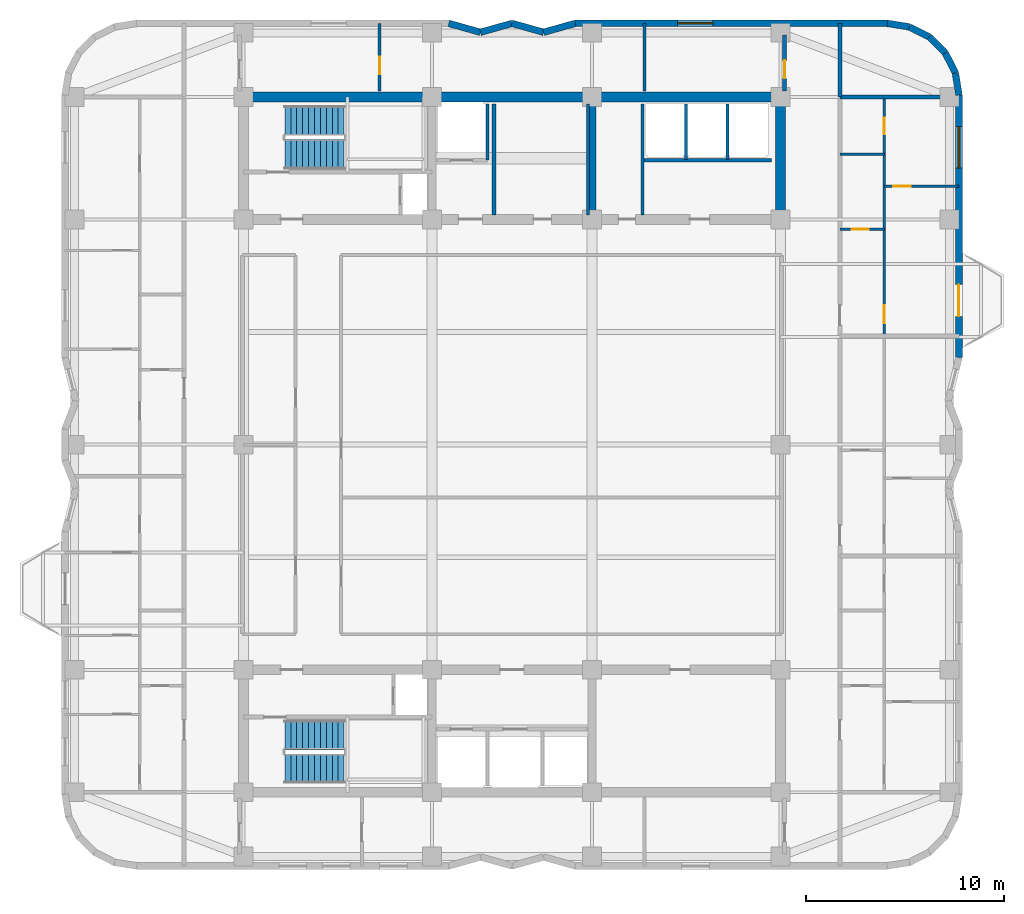
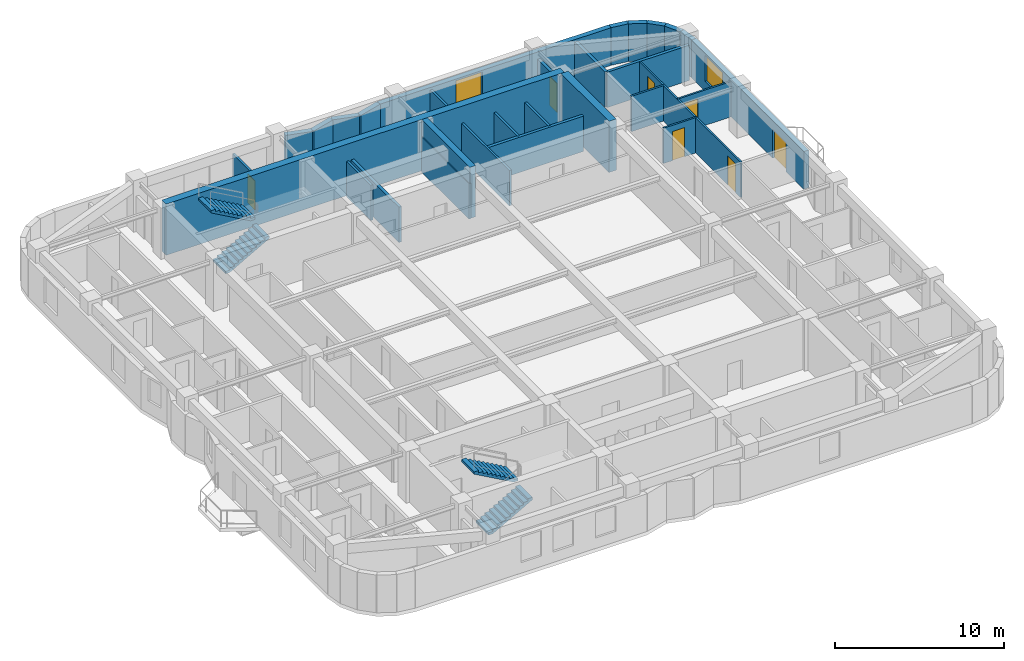
# One storey, part 6 of 8: 30 walls, 7 doors, 4 stair flights, 2 windows, 9 openings, 2 elements without a shape of their own.
"""IFC4 building model written with IfcOpenShell, lengths in metres."""

from ifc_helpers import new_model, si_unit, direction, frame, frame_2d, origin, place, context, subcontext, project, spatial, polyline, rectangle, outline, extrude, material, layer, layer_set, type_object, element, fill, aggregate, save


model = new_model("IFC4")

# Units and contexts
model_context = context("Model", 3, precision=1e-05, world=origin(), true_north=direction((0.0, 1.0)))
body_context = subcontext(model_context, "Body", "Model", "MODEL_VIEW")
ifc_project = project(units=[si_unit("LENGTHUNIT", "METRE"), si_unit("AREAUNIT", "SQUARE_METRE"), si_unit("VOLUMEUNIT", "CUBIC_METRE"), si_unit("PLANEANGLEUNIT", "RADIAN"), si_unit("MASSUNIT", "GRAM", prefix="KILO")], contexts=[model_context])

# Site, building, storey
site_placement = place(None, origin())
site = spatial("IfcSite", under=ifc_project, at=site_placement, CompositionType="ELEMENT")
building_placement = place(site_placement, origin())
building = spatial("IfcBuilding", under=site, at=building_placement, Name="Svetorya Sky Lyceum", CompositionType="ELEMENT")
storey_placement = place(building_placement, frame((0.0, 0.0, 151.5)))
storey = spatial("IfcBuildingStorey", under=building, at=storey_placement, Name="L37", CompositionType="ELEMENT", Elevation=151.5)

# Walls
ifc_material_1 = material(Name="Concrete C40/50", Category="concrete")
ifc_layer_1 = layer(ifc_material_1, 0.39990234375)
ifc_layer_set_1 = layer_set([ifc_layer_1], Name="Concrete C40/50")
wall_type_1 = type_object("IfcWallType", Name="WL-CORE-400", PredefinedType="SHEAR", material=ifc_layer_set_1)
wall_1_placement = place(storey_placement, frame((43.25, 39.85009765625, 0.0), z_axis=(0.0, 0.0, 1.0), x_axis=(0.0, 1.0, 0.0)))
element("IfcWall", 1, at=wall_1_placement, inside=storey, type_object=wall_type_1, Name="L37 NC Internal Shear Web WEB2", PredefinedType="SHEAR", context=body_context, shape_type="SweptSolid", body=[
    extrude(rectangle(XDim=5.699951171875, YDim=0.39990234375, at=frame_2d((2.85009765625, 0.0))), origin(), (0.0, 0.0, 1.0), 3.699951171875),
])
ifc_material_2 = material(Name="Concrete C50/60", Category="concrete")
ifc_layer_2 = layer(ifc_material_2, 0.5)
ifc_layer_set_2 = layer_set([ifc_layer_2], Name="Concrete C50/60")
wall_type_2 = type_object("IfcWallType", Name="WL-CORE-500", PredefinedType="SHEAR", material=ifc_layer_set_2)
wall_2_placement = place(storey_placement, frame((25.60009765625, 45.800048828125, 0.0), z_axis=(0.0, 0.0, 1.0), x_axis=(1.0, 0.0, 0.0)))
element("IfcWall", 2, at=wall_2_placement, inside=storey, type_object=wall_type_2, Name="L37 NC Outer Core Shear Wall", PredefinedType="SHEAR", context=body_context, shape_type="SweptSolid", body=[
    extrude(rectangle(XDim=27.199951171875, YDim=0.5, at=frame_2d((13.60009765625, 0.0))), origin(), (0.0, 0.0, 1.0), 3.699951171875),
])
wall_3_placement = place(storey_placement, frame((52.800048828125, 39.85009765625, 0.0), z_axis=(0.0, 0.0, 1.0), x_axis=(0.0, 1.0, 0.0)))
element("IfcWall", 3, at=wall_3_placement, inside=storey, type_object=wall_type_2, Name="L37 NC East Core Shear Wall", PredefinedType="SHEAR", context=body_context, shape_type="SweptSolid", body=[
    extrude(rectangle(XDim=5.699951171875, YDim=0.5, at=frame_2d((2.85009765625, 0.0))), origin(), (0.0, 0.0, 1.0), 3.699951171875),
])

# Wall, openings, door, window
ifc_material_3 = material(Name="Putilovo limestone rainscreen on autoclaved cellular masonry", Category="masonry")
ifc_layer_3 = layer(ifc_material_3, 0.340087890625)
ifc_layer_set_3 = layer_set([ifc_layer_3], Name="Putilovo limestone rainscreen on autoclaved cellular masonry")
wall_type_3 = type_object("IfcWallType", Name="WL-EXT-340", PredefinedType="SOLIDWALL", material=ifc_layer_set_3)
wall_4_placement = place(storey_placement, frame((61.830078125, 32.60009765625, 0.0), z_axis=(0.0, 0.0, 1.0), x_axis=(0.0, 1.0, 0.0)))
wall_4 = element("IfcWall", 4, at=wall_4_placement, inside=storey, type_object=wall_type_3, Name="L37 Limestone Exterior Wall 23M", PredefinedType="SOLIDWALL", context=body_context, shape_type="SweptSolid", body=[
    extrude(rectangle(XDim=13.2998046875, YDim=0.340087890625, at=frame_2d((6.64990234375, 0.0))), origin(), (0.0, 0.0, 1.0), 2.719970703125),
])
opening_1_placement = place(wall_4_placement, frame((2.10009765625, 0.0, 0.0)))
opening_1 = element("IfcOpeningElement", 5, at=opening_1_placement, cuts=wall_4, Name="Opening D-BL1", PredefinedType="OPENING", context=body_context, shape_type="SweptSolid", body=[
    extrude(rectangle(XDim=1.60009765625, YDim=2.10009765625, at=frame_2d((0.800048828125, 1.050048828125))), frame((0.0, 0.179931640625, 0.0), z_axis=(0.0, -1.0, 0.0), x_axis=(1.0, 0.0, 0.0)), (0.0, 0.0, 1.0), 0.360107421875),
])
opening_2_placement = place(wall_4_placement, frame((9.60009765625, 0.0, 0.699951171875)))
opening_2 = element("IfcOpeningElement", 6, at=opening_2_placement, cuts=wall_4, Name="Opening W-R0", PredefinedType="OPENING", context=body_context, shape_type="SweptSolid", body=[
    extrude(rectangle(XDim=2.10009765625, YDim=1.89990234375, at=frame_2d((1.050048828125, 0.949951171875))), frame((0.0, 0.179931640625, 0.0), z_axis=(0.0, -1.0, 0.0), x_axis=(1.0, 0.0, 0.0)), (0.0, 0.0, 1.0), 0.360107421875),
])
ifc_material_4 = material(Name="Insulated glazed aluminium balcony door", Category="aluminium")
door_type_1 = type_object("IfcDoorType", Name="DR-BAL-1600", OperationType="DOUBLE_DOOR_SINGLE_SWING", PredefinedType="DOOR", material=ifc_material_4)
door_1_placement = place(opening_1_placement, origin())
door_1 = element("IfcDoor", 7, at=door_1_placement, inside=storey, type_object=door_type_1, Name="L37 Balcony BAL-E1 Door", OperationType="DOUBLE_DOOR_SINGLE_SWING", OverallHeight=2.10009765625, OverallWidth=1.60009765625, PredefinedType="DOOR", context=body_context, shape_type="SweptSolid", body=[
    extrude(rectangle(XDim=1.60009765625, YDim=2.10009765625, at=frame_2d((0.800048828125, 1.050048828125))), frame((0.0, 0.02490234375, 0.0), z_axis=(0.0, -1.0, 0.0), x_axis=(1.0, 0.0, 0.0)), (0.0, 0.0, 1.0), 0.050048828125),
])
fill(opening_1, door_1)
ifc_material_5 = material(Name="Thermally broken aluminium frame with triple low-E glazing", Category="aluminium")
window_type_1 = type_object("IfcWindowType", Name="WN-RES-210", PartitioningType="TRIPLE_PANEL_VERTICAL", PredefinedType="WINDOW", material=ifc_material_5)
window_1_placement = place(opening_2_placement, origin())
window_1 = element("IfcWindow", 8, at=window_1_placement, inside=storey, type_object=window_type_1, Name="L37 Facade Window W-R0.23M.1", OverallHeight=1.89990234375, OverallWidth=2.10009765625, PartitioningType="SINGLE_PANEL", PredefinedType="WINDOW", context=body_context, shape_type="SweptSolid", body=[
    extrude(rectangle(XDim=2.10009765625, YDim=1.89990234375, at=frame_2d((1.050048828125, 0.949951171875))), frame((0.0, 0.030029296875, 0.0), z_axis=(0.0, -1.0, 0.0), x_axis=(1.0, 0.0, 0.0)), (0.0, 0.0, 1.0), 0.06005859375),
])
fill(opening_2, window_1)

# Walls
for number, where, z_axis, x_axis, name in (
    (9, (61.830078125, 45.89990234375, 0.0), (0.0, 0.0, 1.0), (-0.156481329164, 0.987680916907, 0.0), "L37 Limestone Exterior Wall 24M"),
    (10, (61.65234375, 47.021728515625, 0.0), (0.0, 0.0, 1.0), (-0.453993402883, 0.891005044957, 0.0), "L37 Limestone Exterior Wall 25M"),
):
    element("IfcWall", number, at=place(storey_placement, frame(where, z_axis=z_axis, x_axis=x_axis)), inside=storey, type_object=wall_type_3, Name=name, PredefinedType="SOLIDWALL", context=body_context, shape_type="SweptSolid", body=[
        extrude(rectangle(XDim=1.1357421875, YDim=0.340087890625, at=frame_2d((0.56787109375, 0.0))), origin(), (0.0, 0.0, 1.0), 2.719970703125),
    ])
wall_5_placement = place(storey_placement, frame((61.13671875, 48.03369140625, 0.0), z_axis=(0.0, 0.0, 1.0), x_axis=(-0.707106781187, 0.707106781187, 0.0)))
element("IfcWall", 11, at=wall_5_placement, inside=storey, type_object=wall_type_3, Name="L37 Limestone Exterior Wall 26M", PredefinedType="SOLIDWALL", context=body_context, shape_type="SweptSolid", body=[
    extrude(rectangle(XDim=1.135498046875, YDim=0.340087890625, at=frame_2d((0.56787109375, 0.0))), origin(), (0.0, 0.0, 1.0), 2.719970703125),
])
for number, where, z_axis, x_axis, name in (
    (12, (60.333740234375, 48.836669921875, 0.0), (0.0, 0.0, 1.0), (-0.891005044957, 0.453993402883, 0.0), "L37 Limestone Exterior Wall 27M"),
    (13, (59.32177734375, 49.352294921875, 0.0), (0.0, 0.0, 1.0), (-0.987680916907, 0.156481329164, 0.0), "L37 Limestone Exterior Wall 28M"),
):
    element("IfcWall", number, at=place(storey_placement, frame(where, z_axis=z_axis, x_axis=x_axis)), inside=storey, type_object=wall_type_3, Name=name, PredefinedType="SOLIDWALL", context=body_context, shape_type="SweptSolid", body=[
        extrude(rectangle(XDim=1.1357421875, YDim=0.340087890625, at=frame_2d((0.56787109375, 0.0))), origin(), (0.0, 0.0, 1.0), 2.719970703125),
    ])

# Wall, opening, window
wall_6_placement = place(storey_placement, frame((58.199951171875, 49.530029296875, 0.0), z_axis=(0.0, 0.0, 1.0), x_axis=(-1.0, 0.0, 0.0)))
wall_6 = element("IfcWall", 14, at=wall_6_placement, inside=storey, type_object=wall_type_3, Name="L37 Limestone Exterior Wall 29M", PredefinedType="SOLIDWALL", context=body_context, shape_type="SweptSolid", body=[
    extrude(rectangle(XDim=15.800048828125, YDim=0.340087890625, at=frame_2d((7.89990234375, 0.0))), origin(), (0.0, 0.0, 1.0), 2.719970703125),
])
opening_3_placement = place(wall_6_placement, frame((8.8125, 0.0, 0.75)))
opening_3 = element("IfcOpeningElement", 15, at=opening_3_placement, cuts=wall_6, Name="Opening W-R1", PredefinedType="OPENING", context=body_context, shape_type="SweptSolid", body=[
    extrude(rectangle(XDim=1.800048828125, YDim=1.85009765625, at=frame_2d((0.89990234375, 0.925048828125))), frame((0.0, 0.179931640625, 0.0), z_axis=(0.0, -1.0, 0.0), x_axis=(1.0, 0.0, 0.0)), (0.0, 0.0, 1.0), 0.360107421875),
])
window_type_2 = type_object("IfcWindowType", Name="WN-RES-180", PartitioningType="DOUBLE_PANEL_VERTICAL", PredefinedType="WINDOW", material=ifc_material_5)
window_2_placement = place(opening_3_placement, origin())
window_2 = element("IfcWindow", 16, at=window_2_placement, inside=storey, type_object=window_type_2, Name="L37 Facade Window W-R1.29M.1", OverallHeight=1.85009765625, OverallWidth=1.800048828125, PartitioningType="SINGLE_PANEL", PredefinedType="WINDOW", context=body_context, shape_type="SweptSolid", body=[
    extrude(rectangle(XDim=1.800048828125, YDim=1.85009765625, at=frame_2d((0.89990234375, 0.925048828125))), frame((0.0, 0.030029296875, 0.0), z_axis=(0.0, -1.0, 0.0), x_axis=(1.0, 0.0, 0.0)), (0.0, 0.0, 1.0), 0.06005859375),
])
fill(opening_3, window_2)

# Walls
wall_7_placement = place(storey_placement, frame((42.39990234375, 49.530029296875, 0.0), z_axis=(0.0, 0.0, 1.0), x_axis=(-0.962652136636, -0.270741322725, 0.0)))
element("IfcWall", 17, at=wall_7_placement, inside=storey, type_object=wall_type_3, Name="L37 Limestone Exterior Wall 30M", PredefinedType="SOLIDWALL", context=body_context, shape_type="SweptSolid", body=[
    extrude(rectangle(XDim=1.661865234375, YDim=0.340087890625, at=frame_2d((0.8310546875, 0.0))), origin(), (0.0, 0.0, 1.0), 2.719970703125),
])
wall_8_placement = place(storey_placement, frame((40.800048828125, 49.080078125, 0.0), z_axis=(0.0, 0.0, 1.0), x_axis=(-0.962662902433, 0.270703040766, 0.0)))
element("IfcWall", 18, at=wall_8_placement, inside=storey, type_object=wall_type_3, Name="L37 Limestone Exterior Wall 31M", PredefinedType="SOLIDWALL", context=body_context, shape_type="SweptSolid", body=[
    extrude(rectangle(XDim=1.662109375, YDim=0.340087890625, at=frame_2d((0.8310546875, 0.0))), origin(), (0.0, 0.0, 1.0), 2.719970703125),
])
wall_9_placement = place(storey_placement, frame((39.199951171875, 49.530029296875, 0.0), z_axis=(0.0, 0.0, 1.0), x_axis=(-0.962652136636, -0.270741322725, 0.0)))
element("IfcWall", 19, at=wall_9_placement, inside=storey, type_object=wall_type_3, Name="L37 Limestone Exterior Wall 32M", PredefinedType="SOLIDWALL", context=body_context, shape_type="SweptSolid", body=[
    extrude(rectangle(XDim=1.661865234375, YDim=0.340087890625, at=frame_2d((0.8310546875, 0.0))), origin(), (0.0, 0.0, 1.0), 2.719970703125),
])
wall_10_placement = place(storey_placement, frame((37.60009765625, 49.080078125, 0.0), z_axis=(0.0, 0.0, 1.0), x_axis=(-0.962662902433, 0.270703040766, 0.0)))
element("IfcWall", 20, at=wall_10_placement, inside=storey, type_object=wall_type_3, Name="L37 Limestone Exterior Wall 33M", PredefinedType="SOLIDWALL", context=body_context, shape_type="SweptSolid", body=[
    extrude(rectangle(XDim=1.662109375, YDim=0.340087890625, at=frame_2d((0.8310546875, 0.0))), origin(), (0.0, 0.0, 1.0), 2.719970703125),
])

# Wall, opening, door
ifc_material_6 = material(Name="Twin-stud galvanized framing with double fireboard", Category="gypsum")
ifc_layer_4 = layer(ifc_material_6, 0.1201171875)
ifc_layer_set_4 = layer_set([ifc_layer_4], Name="Twin-stud galvanized framing with double fireboard")
wall_type_4 = type_object("IfcWallType", Name="WL-PART-120", PredefinedType="PARTITIONING", material=ifc_layer_set_4)
wall_11_placement = place(storey_placement, frame((55.800048828125, 39.10009765625, 0.0), z_axis=(0.0, 0.0, 1.0), x_axis=(1.0, 0.0, 0.0)))
wall_11 = element("IfcWall", 21, at=wall_11_placement, inside=storey, type_object=wall_type_4, Name="L37 Interior Partition E3-WH1", PredefinedType="PARTITIONING", context=body_context, shape_type="SweptSolid", body=[
    extrude(rectangle(XDim=2.25, YDim=0.1201171875, at=frame_2d((1.125, 0.0))), origin(), (0.0, 0.0, 1.0), 2.550048828125),
])
opening_4_placement = place(wall_11_placement, frame((0.60009765625, 0.0, 0.0)))
opening_4 = element("IfcOpeningElement", 22, at=opening_4_placement, cuts=wall_11, Name="Opening D-BT1", PredefinedType="OPENING", context=body_context, shape_type="SweptSolid", body=[
    extrude(rectangle(XDim=0.85009765625, YDim=2.10009765625, at=frame_2d((0.425048828125, 1.050048828125))), frame((0.0, 0.070068359375, 0.0), z_axis=(0.0, -1.0, 0.0), x_axis=(1.0, 0.0, 0.0)), (0.0, 0.0, 1.0), 0.14013671875),
])
ifc_material_7 = material(Name="Moisture-resistant laminate bathroom door")
door_type_2 = type_object("IfcDoorType", Name="DR-WET-850", OperationType="SINGLE_SWING_LEFT", PredefinedType="DOOR", material=ifc_material_7)
door_2_placement = place(opening_4_placement, origin())
door_2 = element("IfcDoor", 23, at=door_2_placement, inside=storey, type_object=door_type_2, Name="Apartment E3 Bathroom Door", OperationType="SINGLE_SWING_RIGHT", OverallHeight=2.10009765625, OverallWidth=0.85009765625, PredefinedType="DOOR", context=body_context, shape_type="SweptSolid", body=[
    extrude(rectangle(XDim=0.85009765625, YDim=2.10009765625, at=frame_2d((0.425048828125, 1.050048828125))), frame((0.0, 0.02490234375, 0.0), z_axis=(0.0, -1.0, 0.0), x_axis=(1.0, 0.0, 0.0)), (0.0, 0.0, 1.0), 0.050048828125),
])
fill(opening_4, door_2)

wall_12_placement = place(storey_placement, frame((58.050048828125, 41.280029296875, 0.0), z_axis=(0.0, 0.0, 1.0), x_axis=(1.0, 0.0, 0.0)))
wall_12 = element("IfcWall", 24, at=wall_12_placement, inside=storey, type_object=wall_type_4, Name="L37 Interior Partition E3-WL1", PredefinedType="PARTITIONING", context=body_context, shape_type="SweptSolid", body=[
    extrude(rectangle(XDim=3.780029296875, YDim=0.1201171875, at=frame_2d((1.89013671875, 0.0))), origin(), (0.0, 0.0, 1.0), 2.550048828125),
])
opening_5_placement = place(wall_12_placement, frame((0.449951171875, 0.0, 0.0)))
opening_5 = element("IfcOpeningElement", 25, at=opening_5_placement, cuts=wall_12, Name="Opening D-RM1", PredefinedType="OPENING", context=body_context, shape_type="SweptSolid", body=[
    extrude(rectangle(XDim=0.89990234375, YDim=2.10009765625, at=frame_2d((0.449951171875, 1.050048828125))), frame((0.0, 0.070068359375, 0.0), z_axis=(0.0, -1.0, 0.0), x_axis=(1.0, 0.0, 0.0)), (0.0, 0.0, 1.0), 0.14013671875),
])
ifc_material_8 = material(Name="Lacquered birch veneer internal door")
door_type_3 = type_object("IfcDoorType", Name="DR-INT-900", OperationType="SINGLE_SWING_LEFT", PredefinedType="DOOR", material=ifc_material_8)
door_3_placement = place(opening_5_placement, origin())
door_3 = element("IfcDoor", 26, at=door_3_placement, inside=storey, type_object=door_type_3, Name="Apartment E3 Bedroom 1 Door", OperationType="SINGLE_SWING_RIGHT", OverallHeight=2.10009765625, OverallWidth=0.89990234375, PredefinedType="DOOR", context=body_context, shape_type="SweptSolid", body=[
    extrude(rectangle(XDim=0.89990234375, YDim=2.10009765625, at=frame_2d((0.449951171875, 1.050048828125))), frame((0.0, 0.02490234375, 0.0), z_axis=(0.0, -1.0, 0.0), x_axis=(1.0, 0.0, 0.0)), (0.0, 0.0, 1.0), 0.050048828125),
])
fill(opening_5, door_3)

# Wall, openings, doors
wall_13_placement = place(storey_placement, frame((58.050048828125, 33.739990234375, 0.0), z_axis=(0.0, 0.0, 1.0), x_axis=(0.0, 1.0, 0.0)))
wall_13 = element("IfcWall", 27, at=wall_13_placement, inside=storey, type_object=wall_type_4, Name="L37 Interior Partition E3-WV", PredefinedType="PARTITIONING", context=body_context, shape_type="SweptSolid", body=[
    extrude(rectangle(XDim=12.02001953125, YDim=0.1201171875, at=frame_2d((6.010009765625, 0.0))), origin(), (0.0, 0.0, 1.0), 2.550048828125),
])
opening_6_placement = place(wall_13_placement, frame((0.610107421875, 0.0, 0.0)))
opening_6 = element("IfcOpeningElement", 28, at=opening_6_placement, cuts=wall_13, Name="Opening D-RM1", PredefinedType="OPENING", context=body_context, shape_type="SweptSolid", body=[
    extrude(rectangle(XDim=0.89990234375, YDim=2.10009765625, at=frame_2d((0.449951171875, 1.050048828125))), frame((0.0, 0.070068359375, 0.0), z_axis=(0.0, -1.0, 0.0), x_axis=(1.0, 0.0, 0.0)), (0.0, 0.0, 1.0), 0.14013671875),
])
opening_7_placement = place(wall_13_placement, frame((10.18505859375, 0.0, 0.0)))
opening_7 = element("IfcOpeningElement", 29, at=opening_7_placement, cuts=wall_13, Name="Opening D-BT2", PredefinedType="OPENING", context=body_context, shape_type="SweptSolid", body=[
    extrude(rectangle(XDim=0.820068359375, YDim=2.080078125, at=frame_2d((0.41015625, 1.0400390625))), frame((0.0, 0.070068359375, 0.0), z_axis=(0.0, -1.0, 0.0), x_axis=(1.0, 0.0, 0.0)), (0.0, 0.0, 1.0), 0.14013671875),
])
door_4_placement = place(opening_6_placement, origin())
door_4 = element("IfcDoor", 30, at=door_4_placement, inside=storey, type_object=door_type_3, Name="Apartment E3 Living Door", OperationType="SINGLE_SWING_LEFT", OverallHeight=2.10009765625, OverallWidth=0.89990234375, PredefinedType="DOOR", context=body_context, shape_type="SweptSolid", body=[
    extrude(rectangle(XDim=0.89990234375, YDim=2.10009765625, at=frame_2d((0.449951171875, 1.050048828125))), frame((0.0, 0.02490234375, 0.0), z_axis=(0.0, -1.0, 0.0), x_axis=(1.0, 0.0, 0.0)), (0.0, 0.0, 1.0), 0.050048828125),
])
fill(opening_6, door_4)
ifc_material_9 = material(Name="Compact moisture-resistant laminate closet door")
door_type_4 = type_object("IfcDoorType", Name="DR-WET-820", OperationType="SINGLE_SWING_LEFT", PredefinedType="DOOR", material=ifc_material_9)
door_5_placement = place(opening_7_placement, origin())
door_5 = element("IfcDoor", 31, at=door_5_placement, inside=storey, type_object=door_type_4, Name="Apartment E3 Study Door", OperationType="SINGLE_SWING_RIGHT", OverallHeight=2.080078125, OverallWidth=0.820068359375, PredefinedType="DOOR", context=body_context, shape_type="SweptSolid", body=[
    extrude(rectangle(XDim=0.820068359375, YDim=2.080078125, at=frame_2d((0.41015625, 1.0400390625))), frame((0.0, 0.02490234375, 0.0), z_axis=(0.0, -1.0, 0.0), x_axis=(1.0, 0.0, 0.0)), (0.0, 0.0, 1.0), 0.050048828125),
])
fill(opening_7, door_5)

# Walls
ifc_material_10 = material(Name="Twin-stud galvanized framing with acoustic board", Category="gypsum")
ifc_layer_5 = layer(ifc_material_10, 0.135009765625)
ifc_layer_set_5 = layer_set([ifc_layer_5], Name="Twin-stud galvanized framing with acoustic board")
wall_type_5 = type_object("IfcWallType", Name="WL-PART-135", PredefinedType="PARTITIONING", material=ifc_layer_set_5)
wall_14_placement = place(storey_placement, frame((55.800048828125, 42.89990234375, 0.0), z_axis=(0.0, 0.0, 1.0), x_axis=(1.0, 0.0, 0.0)))
element("IfcWall", 32, at=wall_14_placement, inside=storey, type_object=wall_type_5, Name="L37 Interior Partition E3-WH2", PredefinedType="PARTITIONING", context=body_context, shape_type="SweptSolid", body=[
    extrude(rectangle(XDim=2.25, YDim=0.135009765625, at=frame_2d((1.125, 0.0))), origin(), (0.0, 0.0, 1.0), 2.550048828125),
])
ifc_material_11 = material(Name="Autoclaved cellular masonry blockwork with acoustic render", Category="masonry")
ifc_layer_6 = layer(ifc_material_11, 0.14990234375)
ifc_layer_set_6 = layer_set([ifc_layer_6], Name="Autoclaved cellular masonry blockwork with acoustic render")
wall_type_6 = type_object("IfcWallType", Name="WL-PART-150", PredefinedType="PARTITIONING", material=ifc_layer_set_6)
wall_15_placement = place(storey_placement, frame((37.949951171875, 42.60009765625, 0.0), z_axis=(0.0, 0.0, 1.0), x_axis=(0.0, 1.0, 0.0)))
element("IfcWall", 33, at=wall_15_placement, inside=storey, type_object=wall_type_6, Name="L37 Interior Partition NC-FL1SIDE", PredefinedType="PARTITIONING", context=body_context, shape_type="SweptSolid", body=[
    extrude(rectangle(XDim=2.849853515625, YDim=0.14990234375, at=frame_2d((1.4248046875, 0.0))), origin(), (0.0, 0.0, 1.0), 2.550048828125),
])
for number, where, z_axis, x_axis, name in (
    (34, (43.050048828125, 39.820068359375, 0.0), (0.0, 0.0, 1.0), (0.0, 1.0, 0.0), "L37 Interior Partition NC-FPM-END"),
    (35, (45.800048828125, 39.820068359375, 0.0), (0.0, 0.0, 1.0), (0.0, 1.0, 0.0), "L37 Interior Partition NC-PM3-FULL"),
):
    element("IfcWall", number, at=place(storey_placement, frame(where, z_axis=z_axis, x_axis=x_axis)), inside=storey, type_object=wall_type_6, Name=name, PredefinedType="PARTITIONING", context=body_context, shape_type="SweptSolid", body=[
        extrude(rectangle(XDim=5.6298828125, YDim=0.14990234375, at=frame_2d((2.81494140625, 0.0))), origin(), (0.0, 0.0, 1.0), 2.550048828125),
    ])
for number, where, z_axis, x_axis, name in (
    (36, (48.0, 42.64990234375, 0.0), (0.0, 0.0, 1.0), (0.0, 1.0, 0.0), "L37 Interior Partition NC-PH-D1"),
    (37, (50.10009765625, 42.64990234375, 0.0), (0.0, 0.0, 1.0), (0.0, 1.0, 0.0), "L37 Interior Partition NC-PH-D2"),
):
    element("IfcWall", number, at=place(storey_placement, frame(where, z_axis=z_axis, x_axis=x_axis)), inside=storey, type_object=wall_type_6, Name=name, PredefinedType="PARTITIONING", context=body_context, shape_type="SweptSolid", body=[
        extrude(rectangle(XDim=2.800048828125, YDim=0.14990234375, at=frame_2d((1.39990234375, 0.0))), origin(), (0.0, 0.0, 1.0), 2.550048828125),
    ])

# Wall, opening, door
wall_16_placement = place(storey_placement, frame((32.5, 46.10009765625, 0.0), z_axis=(0.0, 0.0, 1.0), x_axis=(0.0, 1.0, 0.0)))
wall_16 = element("IfcWall", 38, at=wall_16_placement, inside=storey, type_object=wall_type_6, Name="L37 Interior Partition N-D1", PredefinedType="PARTITIONING", context=body_context, shape_type="SweptSolid", body=[
    extrude(rectangle(XDim=3.429931640625, YDim=0.14990234375, at=frame_2d((1.71484375, 0.0))), origin(), (0.0, 0.0, 1.0), 2.550048828125),
])
opening_8_placement = place(wall_16_placement, frame((0.85009765625, 0.0, 0.0)))
opening_8 = element("IfcOpeningElement", 39, at=opening_8_placement, cuts=wall_16, Name="Opening D-RM1", PredefinedType="OPENING", context=body_context, shape_type="SweptSolid", body=[
    extrude(rectangle(XDim=0.89990234375, YDim=2.10009765625, at=frame_2d((0.449951171875, 1.050048828125))), frame((0.0, 0.0849609375, 0.0), z_axis=(0.0, -1.0, 0.0), x_axis=(1.0, 0.0, 0.0)), (0.0, 0.0, 1.0), 0.169921875),
])
door_6_placement = place(opening_8_placement, origin())
door_6 = element("IfcDoor", 40, at=door_6_placement, inside=storey, type_object=door_type_3, Name="L37 North Store Door", OperationType="SINGLE_SWING_RIGHT", OverallHeight=2.10009765625, OverallWidth=0.89990234375, PredefinedType="DOOR", context=body_context, shape_type="SweptSolid", body=[
    extrude(rectangle(XDim=0.89990234375, YDim=2.10009765625, at=frame_2d((0.449951171875, 1.050048828125))), frame((0.0, 0.02490234375, 0.0), z_axis=(0.0, -1.0, 0.0), x_axis=(1.0, 0.0, 0.0)), (0.0, 0.0, 1.0), 0.050048828125),
])
fill(opening_8, door_6)

# Walls
wall_17_placement = place(storey_placement, frame((45.89990234375, 46.10009765625, 0.0), z_axis=(0.0, 0.0, 1.0), x_axis=(0.0, 1.0, 0.0)))
element("IfcWall", 41, at=wall_17_placement, inside=storey, type_object=wall_type_6, Name="L37 Interior Partition N-D2", PredefinedType="PARTITIONING", context=body_context, shape_type="SweptSolid", body=[
    extrude(rectangle(XDim=3.429931640625, YDim=0.14990234375, at=frame_2d((1.71484375, 0.0))), origin(), (0.0, 0.0, 1.0), 2.550048828125),
])
ifc_material_12 = material(Name="Autoclaved cellular masonry blockwork with gypsum plaster", Category="masonry")
ifc_layer_7 = layer(ifc_material_12, 0.199951171875)
ifc_layer_set_7 = layer_set([ifc_layer_7], Name="Autoclaved cellular masonry blockwork with gypsum plaster")
wall_type_7 = type_object("IfcWallType", Name="WL-PART-200", PredefinedType="PARTITIONING", material=ifc_layer_set_7)
wall_18_placement = place(storey_placement, frame((38.280029296875, 39.820068359375, 0.0), z_axis=(0.0, 0.0, 1.0), x_axis=(0.0, 1.0, 0.0)))
element("IfcWall", 42, at=wall_18_placement, inside=storey, type_object=wall_type_7, Name="L37 Interior Partition NC-FFLDIV", PredefinedType="PARTITIONING", context=body_context, shape_type="SweptSolid", body=[
    extrude(rectangle(XDim=5.6298828125, YDim=0.199951171875, at=frame_2d((2.81494140625, 0.0))), origin(), (0.0, 0.0, 1.0), 2.550048828125),
])
wall_19_placement = place(storey_placement, frame((52.35009765625, 42.60009765625, 0.0), z_axis=(0.0, 0.0, 1.0), x_axis=(-1.0, 0.0, 0.0)))
element("IfcWall", 43, at=wall_19_placement, inside=storey, type_object=wall_type_7, Name="L37 Interior Partition NC-PHEW", PredefinedType="PARTITIONING", context=body_context, shape_type="SweptSolid", body=[
    extrude(rectangle(XDim=6.5, YDim=0.199951171875, at=frame_2d((3.25, 0.0))), origin(), (0.0, 0.0, 1.0), 2.550048828125),
])
wall_20_placement = place(storey_placement, frame((55.800048828125, 45.800048828125, 0.0), z_axis=(0.0, 0.0, 1.0), x_axis=(1.0, 0.0, 0.0)))
element("IfcWall", 44, at=wall_20_placement, inside=storey, type_object=wall_type_7, Name="L37 Interior Partition E-CAP-N", PredefinedType="PARTITIONING", context=body_context, shape_type="SweptSolid", body=[
    extrude(rectangle(XDim=5.60986328125, YDim=0.199951171875, at=frame_2d((2.804931640625, 0.0))), origin(), (0.0, 0.0, 1.0), 2.550048828125),
])
wall_21_placement = place(storey_placement, frame((55.800048828125, 45.800048828125, 0.0), z_axis=(0.0, 0.0, 1.0), x_axis=(0.0, 1.0, 0.0)))
element("IfcWall", 45, at=wall_21_placement, inside=storey, type_object=wall_type_7, Name="L37 Interior Partition EC-NE-END", PredefinedType="PARTITIONING", context=body_context, shape_type="SweptSolid", body=[
    extrude(rectangle(XDim=3.72998046875, YDim=0.199951171875, at=frame_2d((1.864990234375, 0.0))), origin(), (0.0, 0.0, 1.0), 2.550048828125),
])

# Wall, opening, door
wall_22_placement = place(storey_placement, frame((53.0, 46.10009765625, 0.0), z_axis=(0.0, 0.0, 1.0), x_axis=(0.0, 1.0, 0.0)))
wall_22 = element("IfcWall", 46, at=wall_22_placement, inside=storey, type_object=wall_type_7, Name="L37 Interior Partition N-EE", PredefinedType="PARTITIONING", context=body_context, shape_type="SweptSolid", body=[
    extrude(rectangle(XDim=2.829833984375, YDim=0.199951171875, at=frame_2d((1.4150390625, 0.0))), origin(), (0.0, 0.0, 1.0), 2.550048828125),
])
opening_9_placement = place(wall_22_placement, frame((0.64990234375, 0.0, 0.0)))
opening_9 = element("IfcOpeningElement", 47, at=opening_9_placement, cuts=wall_22, Name="Opening D-RM1", PredefinedType="OPENING", context=body_context, shape_type="SweptSolid", body=[
    extrude(rectangle(XDim=0.89990234375, YDim=2.10009765625, at=frame_2d((0.449951171875, 1.050048828125))), frame((0.0, 0.10986328125, 0.0), z_axis=(0.0, -1.0, 0.0), x_axis=(1.0, 0.0, 0.0)), (0.0, 0.0, 1.0), 0.219970703125),
])
door_7_placement = place(opening_9_placement, origin())
door_7 = element("IfcDoor", 48, at=door_7_placement, inside=storey, type_object=door_type_3, Name="L37 North Meeting Door", OperationType="SINGLE_SWING_LEFT", OverallHeight=2.10009765625, OverallWidth=0.89990234375, PredefinedType="DOOR", context=body_context, shape_type="SweptSolid", body=[
    extrude(rectangle(XDim=0.89990234375, YDim=2.10009765625, at=frame_2d((0.449951171875, 1.050048828125))), frame((0.0, 0.02490234375, 0.0), z_axis=(0.0, -1.0, 0.0), x_axis=(1.0, 0.0, 0.0)), (0.0, 0.0, 1.0), 0.050048828125),
])
fill(opening_9, door_7)

# Stair, stair flights
stair_type_1 = type_object("IfcStairType", Name="STR-ST-N", PredefinedType="HALF_TURN_STAIR", material=ifc_material_1)
stair_1_placement = place(storey_placement, origin())
stair_1 = element("IfcStair", 49, at=stair_1_placement, inside=storey, type_object=stair_type_1, Name="L37 North Core Smoke-Free Exit Stair N3", PredefinedType="HALF_TURN_STAIR")
stair_flight_type_1 = type_object("IfcStairFlightType", Name="SFL-ST-N", PredefinedType="STRAIGHT", material=ifc_material_1)
stair_flight_1_placement = place(storey_placement, frame((27.699951171875, 42.89990234375, 0.0), z_axis=(0.0, 0.0, 1.0), x_axis=(1.0, 0.0, 0.0)))
stair_flight_1 = element("IfcStairFlight", 50, at=stair_flight_1_placement, type_object=stair_flight_type_1, Name="ST-N flight 1", NumberOfRisers=11, NumberOfTreads=10, PredefinedType="STRAIGHT", RiserHeight=0.168181818, TreadLength=0.3, context=body_context, shape_type="SweptSolid", body=[
    extrude(outline(polyline([(0.0, 0.0), (0.0, 0.168212890625), (0.300048828125, 0.168212890625), (0.300048828125, 0.33642578125), (0.60009765625, 0.33642578125), (0.60009765625, 0.504638671875), (0.89990234375, 0.504638671875), (0.89990234375, 0.672607421875), (1.199951171875, 0.672607421875), (1.199951171875, 0.8408203125), (1.5, 0.8408203125), (1.5, 1.009033203125), (1.800048828125, 1.009033203125), (1.800048828125, 1.17724609375), (2.10009765625, 1.17724609375), (2.10009765625, 1.345458984375), (2.39990234375, 1.345458984375), (2.39990234375, 1.513671875), (2.699951171875, 1.513671875), (2.699951171875, 1.681884765625), (3.0, 1.681884765625), (3.0, 1.85009765625), (3.0, 1.510009765625), (0.306640625, 0.0), (0.0, 0.0)])), frame((0.0, 0.75, 0.0), z_axis=(0.0, -1.0, 0.0), x_axis=(1.0, 0.0, 0.0)), (0.0, 0.0, 1.0), 1.5),
])
stair_flight_2_placement = place(storey_placement, frame((30.699951171875, 44.60009765625, 1.85009765625), z_axis=(0.0, 0.0, 1.0), x_axis=(-1.0, 0.0, 0.0)))
stair_flight_2 = element("IfcStairFlight", 51, at=stair_flight_2_placement, type_object=stair_flight_type_1, Name="ST-N flight 2", NumberOfRisers=11, NumberOfTreads=10, PredefinedType="STRAIGHT", RiserHeight=0.168181818, TreadLength=0.3, context=body_context, shape_type="SweptSolid", body=[
    extrude(outline(polyline([(0.0, 0.0), (0.0, 0.168212890625), (0.300048828125, 0.168212890625), (0.300048828125, 0.33642578125), (0.60009765625, 0.33642578125), (0.60009765625, 0.504638671875), (0.89990234375, 0.504638671875), (0.89990234375, 0.672607421875), (1.199951171875, 0.672607421875), (1.199951171875, 0.8408203125), (1.5, 0.8408203125), (1.5, 1.009033203125), (1.800048828125, 1.009033203125), (1.800048828125, 1.17724609375), (2.10009765625, 1.17724609375), (2.10009765625, 1.345458984375), (2.39990234375, 1.345458984375), (2.39990234375, 1.513671875), (2.699951171875, 1.513671875), (2.699951171875, 1.681884765625), (3.0, 1.681884765625), (3.0, 1.85009765625), (3.0, 1.510009765625), (0.306640625, 0.0), (0.0, 0.0)])), frame((0.0, 0.75, 0.0), z_axis=(0.0, -1.0, 0.0), x_axis=(1.0, 0.0, 0.0)), (0.0, 0.0, 1.0), 1.5),
])
aggregate(stair_1, [stair_flight_1, stair_flight_2])

stair_type_2 = type_object("IfcStairType", Name="STR-ST-S", PredefinedType="HALF_TURN_STAIR", material=ifc_material_1)
stair_2_placement = place(storey_placement, origin())
stair_2 = element("IfcStair", 52, at=stair_2_placement, inside=storey, type_object=stair_type_2, Name="L37 South Core Smoke-Free Exit Stair N2", PredefinedType="HALF_TURN_STAIR")
stair_flight_type_2 = type_object("IfcStairFlightType", Name="SFL-ST-S", PredefinedType="STRAIGHT", material=ifc_material_1)
stair_flight_3_placement = place(storey_placement, frame((27.699951171875, 11.800048828125, 0.0), z_axis=(0.0, 0.0, 1.0), x_axis=(1.0, 0.0, 0.0)))
stair_flight_3 = element("IfcStairFlight", 53, at=stair_flight_3_placement, type_object=stair_flight_type_2, Name="ST-S flight 1", NumberOfRisers=11, NumberOfTreads=10, PredefinedType="STRAIGHT", RiserHeight=0.168181818, TreadLength=0.3, context=body_context, shape_type="SweptSolid", body=[
    extrude(outline(polyline([(0.0, 0.0), (0.0, 0.168212890625), (0.300048828125, 0.168212890625), (0.300048828125, 0.33642578125), (0.60009765625, 0.33642578125), (0.60009765625, 0.504638671875), (0.89990234375, 0.504638671875), (0.89990234375, 0.672607421875), (1.199951171875, 0.672607421875), (1.199951171875, 0.8408203125), (1.5, 0.8408203125), (1.5, 1.009033203125), (1.800048828125, 1.009033203125), (1.800048828125, 1.17724609375), (2.10009765625, 1.17724609375), (2.10009765625, 1.345458984375), (2.39990234375, 1.345458984375), (2.39990234375, 1.513671875), (2.699951171875, 1.513671875), (2.699951171875, 1.681884765625), (3.0, 1.681884765625), (3.0, 1.85009765625), (3.0, 1.510009765625), (0.306640625, 0.0), (0.0, 0.0)])), frame((0.0, 0.75, 0.0), z_axis=(0.0, -1.0, 0.0), x_axis=(1.0, 0.0, 0.0)), (0.0, 0.0, 1.0), 1.5),
])
stair_flight_4_placement = place(storey_placement, frame((30.699951171875, 13.5, 1.85009765625), z_axis=(0.0, 0.0, 1.0), x_axis=(-1.0, 0.0, 0.0)))
stair_flight_4 = element("IfcStairFlight", 54, at=stair_flight_4_placement, type_object=stair_flight_type_2, Name="ST-S flight 2", NumberOfRisers=11, NumberOfTreads=10, PredefinedType="STRAIGHT", RiserHeight=0.168181818, TreadLength=0.3, context=body_context, shape_type="SweptSolid", body=[
    extrude(outline(polyline([(0.0, 0.0), (0.0, 0.168212890625), (0.300048828125, 0.168212890625), (0.300048828125, 0.33642578125), (0.60009765625, 0.33642578125), (0.60009765625, 0.504638671875), (0.89990234375, 0.504638671875), (0.89990234375, 0.672607421875), (1.199951171875, 0.672607421875), (1.199951171875, 0.8408203125), (1.5, 0.8408203125), (1.5, 1.009033203125), (1.800048828125, 1.009033203125), (1.800048828125, 1.17724609375), (2.10009765625, 1.17724609375), (2.10009765625, 1.345458984375), (2.39990234375, 1.345458984375), (2.39990234375, 1.513671875), (2.699951171875, 1.513671875), (2.699951171875, 1.681884765625), (3.0, 1.681884765625), (3.0, 1.85009765625), (3.0, 1.510009765625), (0.306640625, 0.0), (0.0, 0.0)])), frame((0.0, 0.75, 0.0), z_axis=(0.0, -1.0, 0.0), x_axis=(1.0, 0.0, 0.0)), (0.0, 0.0, 1.0), 1.5),
])
aggregate(stair_2, [stair_flight_3, stair_flight_4])

save(model, "model.ifc")
